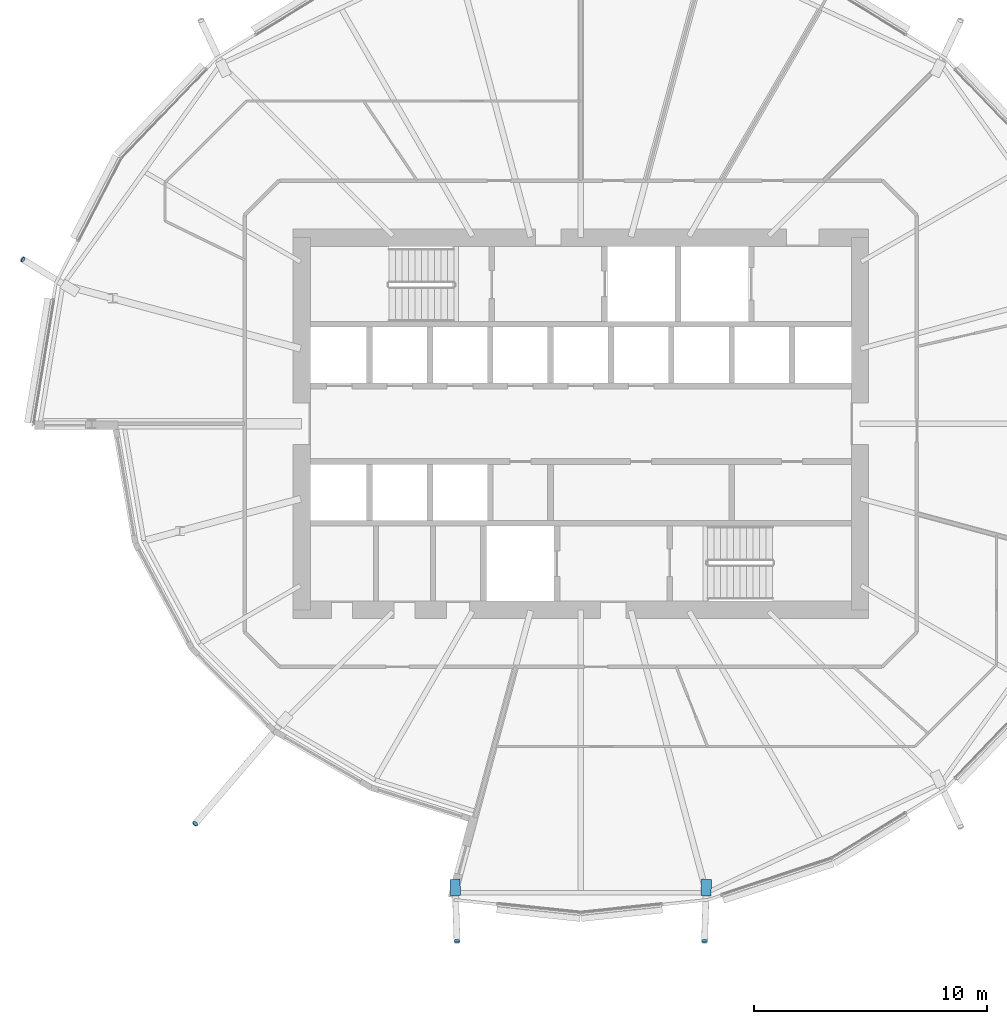
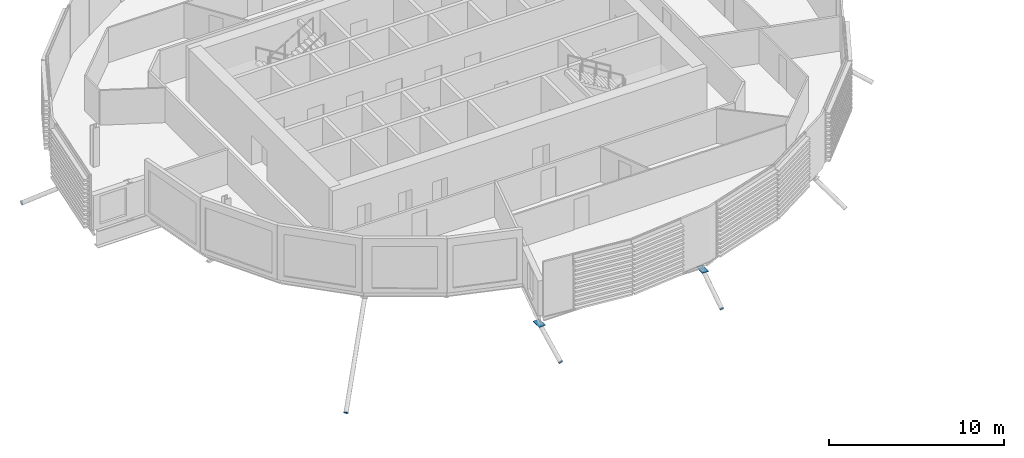
# One storey, part 27 of 39: 6 discrete accessories.
"""IFC4 building model written with IfcOpenShell, lengths in metres."""

from ifc_helpers import new_model, si_unit, direction, frame, origin, origin_2d, place, context, subcontext, project, spatial, polyline, rectangle, circle, outline, extrude, material, material_profile, profile_set, type_object, element, save


model = new_model("IFC4")

# Units and contexts
model_context = context("Model", 3, precision=1e-05, world=origin(), true_north=direction((0.0, 1.0)))
body_context = subcontext(model_context, "Body", "Model", "MODEL_VIEW")
ifc_project = project(units=[si_unit("LENGTHUNIT", "METRE"), si_unit("AREAUNIT", "SQUARE_METRE"), si_unit("VOLUMEUNIT", "CUBIC_METRE"), si_unit("PLANEANGLEUNIT", "RADIAN"), si_unit("MASSUNIT", "GRAM", prefix="KILO")], contexts=[model_context])

# Site, building, storey
site_placement = place(None, origin())
site = spatial("IfcSite", under=ifc_project, at=site_placement, CompositionType="ELEMENT")
building_placement = place(site_placement, origin())
building = spatial("IfcBuilding", under=site, at=building_placement, Name="Rimbun Link Towers", CompositionType="ELEMENT")
storey_placement = place(building_placement, frame((0.0, 0.0, 96.800048828125)))
storey = spatial("IfcBuildingStorey", under=building, at=storey_placement, Name="L23", CompositionType="ELEMENT", Elevation=96.800048828125)

# Discrete accessories
ifc_material_1 = material(Name="Steel S355J2H", Category="steel")
ifc_material_profile_1 = material_profile(ifc_material_1, circle(Radius=0.1240234375, at=origin_2d()), Name="PL D248")
ifc_profile_set_1 = profile_set([ifc_material_profile_1], Name="Steel S355J2H")
discrete_accessory_type_1 = type_object("IfcDiscreteAccessoryType", Name="Link foot sealing plate D248X20", PredefinedType="BRACKET", material=ifc_profile_set_1)
for number, where, z_axis, x_axis, name in (
    (1, (-55.715576171875, 7.048583984375, -2.30712890625), (-0.755535949399, 0.4752564843, -0.4508843569), (-0.532451118741, -0.846460752871, 0.0), "Link foot sealing plate T1 L23 11"),
    (2, (-48.3134765625, -17.186767578125, -4.831298828125), (-0.535709697438, -0.620936240212, -0.572235358627), (0.757156729179, -0.653233256547, 0.0), "Link foot sealing plate T1 L23 15"),
    (3, (-37.070068359375, -22.223388671875, -2.1689453125), (0.02438661737, -0.865724916634, -0.499925656085), (0.999603489279, 0.028157844768, 0.0), "Link foot sealing plate T1 L23 17"),
    (4, (-26.429931640625, -22.223388671875, -2.1689453125), (-0.02438661737, -0.865724916634, -0.499925656085), (0.999603489279, -0.028157844768, 0.0), "Link foot sealing plate T1 L23 19"),
):
    element("IfcDiscreteAccessory", number, at=place(storey_placement, frame(where, z_axis=z_axis, x_axis=x_axis)), inside=storey, type_object=discrete_accessory_type_1, Name=name, PredefinedType="BRACKET", context=body_context, shape_type="SweptSolid", body=[
        extrude(circle(Radius=0.1240234375, at=origin_2d()), origin(), (0.0, 0.0, 1.0), 0.02001953125),
    ])
ifc_material_2 = material(Name="Steel S355J2H", Category="steel")
ifc_material_profile_2 = material_profile(ifc_material_2, rectangle(XDim=0.43310546875, YDim=0.43310546875, at=origin_2d()), Name="PL 433x433")
ifc_profile_set_2 = profile_set([ifc_material_profile_2], Name="Steel S355J2H")
discrete_accessory_type_2 = type_object("IfcDiscreteAccessoryType", Name="Link head end plate 433X20", PredefinedType="BRACKET", material=ifc_profile_set_2)
discrete_accessory_1_placement = place(storey_placement, frame((0.0, 0.0, -0.863525390625)))
element("IfcDiscreteAccessory", 5, at=discrete_accessory_1_placement, inside=storey, type_object=discrete_accessory_type_2, Name="Link head end plate T1 L23 17", PredefinedType="BRACKET", context=body_context, shape_type="SweptSolid", body=[
    extrude(outline(polyline([(-37.371337890625, -19.588134765625), (-37.3486328125, -20.298828125), (-36.915771484375, -20.284912109375), (-36.938720703125, -19.57421875), (-37.371337890625, -19.588134765625)])), origin(), (0.0, 0.0, 1.0), 0.02001953125),
])
discrete_accessory_2_placement = place(storey_placement, frame((0.0, 0.0, -0.863525390625)))
element("IfcDiscreteAccessory", 6, at=discrete_accessory_2_placement, inside=storey, type_object=discrete_accessory_type_2, Name="Link head end plate T1 L23 19", PredefinedType="BRACKET", context=body_context, shape_type="SweptSolid", body=[
    extrude(outline(polyline([(-26.561279296875, -19.57421875), (-26.584228515625, -20.284912109375), (-26.1513671875, -20.298828125), (-26.128662109375, -19.588134765625), (-26.561279296875, -19.57421875)])), origin(), (0.0, 0.0, 1.0), 0.02001953125),
])

save(model, "model.ifc")
